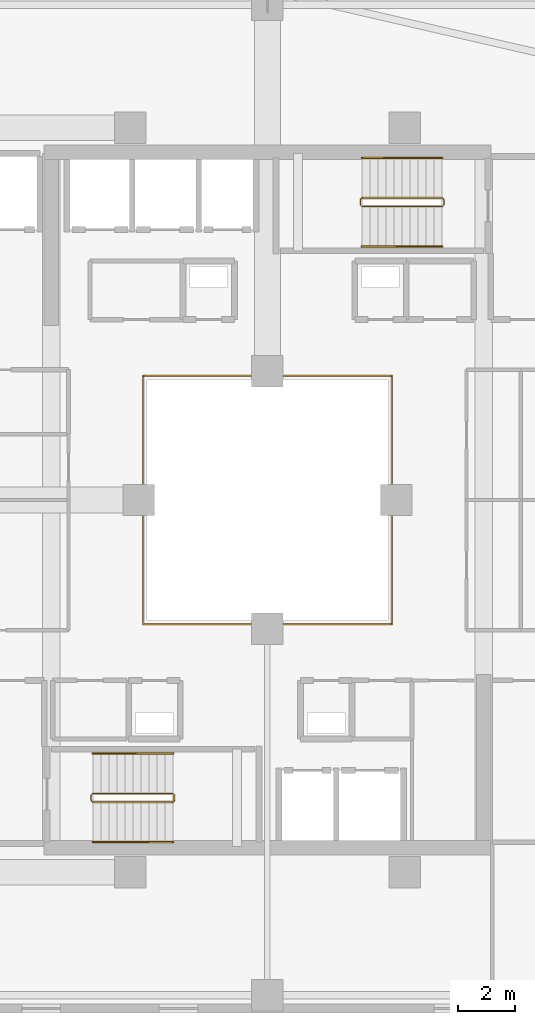
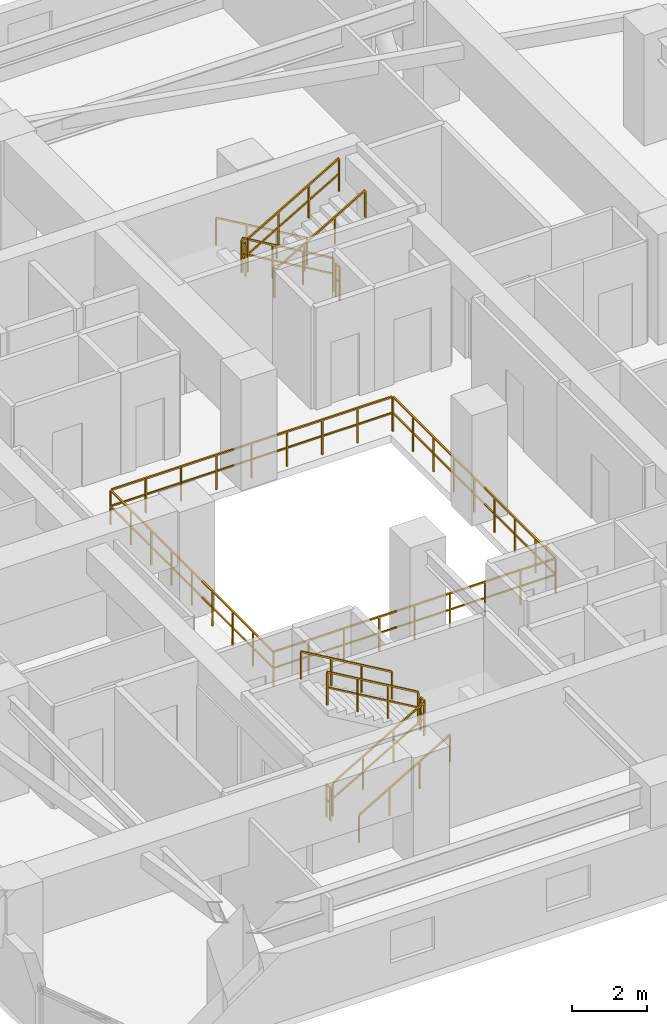
# One storey, part 33 of 36: 13 railings.
"""IFC4 building model written with IfcOpenShell, lengths in metres."""

from ifc_helpers import new_model, si_unit, direction, frame, origin, origin_2d, place, context, subcontext, project, spatial, rectangle, extrude, material, type_object, element, save


model = new_model("IFC4")

# Units and contexts
model_context = context("Model", 3, precision=1e-05, world=origin(), true_north=direction((0.0, 1.0)))
body_context = subcontext(model_context, "Body", "Model", "MODEL_VIEW")
ifc_project = project(units=[si_unit("LENGTHUNIT", "METRE"), si_unit("AREAUNIT", "SQUARE_METRE"), si_unit("VOLUMEUNIT", "CUBIC_METRE"), si_unit("PLANEANGLEUNIT", "RADIAN"), si_unit("MASSUNIT", "GRAM", prefix="KILO")], contexts=[model_context])

# Site, building, storey
site_placement = place(None, origin())
site = spatial("IfcSite", under=ifc_project, at=site_placement, CompositionType="ELEMENT")
building_placement = place(site_placement, origin())
building = spatial("IfcBuilding", under=site, at=building_placement, Name="Thornwick Lancets Civic Towers", CompositionType="ELEMENT")
storey_placement = place(building_placement, frame((0.0, 0.0, 196.5)))
storey = spatial("IfcBuildingStorey", under=building, at=storey_placement, Name="L52", CompositionType="ELEMENT", Elevation=196.5)

# Railings
ifc_material_1 = material(Name="Laminated glass and bronze steel S355", Category="steel")
railing_type_1 = type_object("IfcRailingType", Name="RAIL_ATRIUM_GUARD", PredefinedType="BALUSTRADE", material=ifc_material_1)
railing_1_placement = place(storey_placement, frame((21.159912109375, 22.659912109375, 0.0)))
element("IfcRailing", 1, at=railing_1_placement, inside=storey, type_object=railing_type_1, Name="L52 Tower A Central Atrium Guard Balustrade", PredefinedType="BALUSTRADE", context=body_context, shape_type="SweptSolid", body=[
    extrude(rectangle(XDim=0.048095703125, YDim=0.048095703125, at=origin_2d()), frame((0.0, 0.0, 1.1259765625), z_axis=(1.0, 0.0, 0.0), x_axis=(0.0, 1.0, 0.0)), (0.0, 0.0, 1.0), 8.64892578125),
    extrude(rectangle(XDim=0.0419921875, YDim=0.0419921875, at=origin_2d()), frame((0.03759765625, 0.0, 0.597900390625), z_axis=(1.0, 0.0, 0.0), x_axis=(0.0, 1.0, 0.0)), (0.0, 0.0, 1.0), 1.010009765625),
    extrude(rectangle(XDim=0.0419921875, YDim=0.0419921875, at=origin_2d()), frame((1.12255859375, 0.0, 0.597900390625), z_axis=(1.0, 0.0, 0.0), x_axis=(0.0, 1.0, 0.0)), (0.0, 0.0, 1.0), 1.010009765625),
    extrude(rectangle(XDim=0.0419921875, YDim=0.0419921875, at=origin_2d()), frame((2.20751953125, 0.0, 0.597900390625), z_axis=(1.0, 0.0, 0.0), x_axis=(0.0, 1.0, 0.0)), (0.0, 0.0, 1.0), 1.010009765625),
    extrude(rectangle(XDim=0.0419921875, YDim=0.0419921875, at=origin_2d()), frame((3.29248046875, 0.0, 0.597900390625), z_axis=(1.0, 0.0, 0.0), x_axis=(0.0, 1.0, 0.0)), (0.0, 0.0, 1.0), 1.010009765625),
    extrude(rectangle(XDim=0.0419921875, YDim=0.0419921875, at=origin_2d()), frame((4.377685546875, 0.0, 0.597900390625), z_axis=(1.0, 0.0, 0.0), x_axis=(0.0, 1.0, 0.0)), (0.0, 0.0, 1.0), 1.010009765625),
    extrude(rectangle(XDim=0.0419921875, YDim=0.0419921875, at=origin_2d()), frame((5.462646484375, 0.0, 0.597900390625), z_axis=(1.0, 0.0, 0.0), x_axis=(0.0, 1.0, 0.0)), (0.0, 0.0, 1.0), 1.010009765625),
    extrude(rectangle(XDim=0.0419921875, YDim=0.0419921875, at=origin_2d()), frame((6.547607421875, 0.0, 0.597900390625), z_axis=(1.0, 0.0, 0.0), x_axis=(0.0, 1.0, 0.0)), (0.0, 0.0, 1.0), 1.010009765625),
    extrude(rectangle(XDim=0.0419921875, YDim=0.0419921875, at=origin_2d()), frame((7.632568359375, 0.0, 0.597900390625), z_axis=(1.0, 0.0, 0.0), x_axis=(0.0, 1.0, 0.0)), (0.0, 0.0, 1.0), 1.010009765625),
    extrude(rectangle(XDim=0.048095703125, YDim=0.048095703125, at=origin_2d()), frame((8.68017578125, 0.03125, 1.1259765625), z_axis=(0.0, 1.0, 0.0), x_axis=(-1.0, 0.0, 0.0)), (0.0, 0.0, 1.0), 8.61767578125),
    extrude(rectangle(XDim=0.0419921875, YDim=0.0419921875, at=origin_2d()), frame((8.68017578125, 0.03759765625, 0.597900390625), z_axis=(0.0, 1.0, 0.0), x_axis=(-1.0, 0.0, 0.0)), (0.0, 0.0, 1.0), 1.010009765625),
    extrude(rectangle(XDim=0.0419921875, YDim=0.0419921875, at=origin_2d()), frame((8.68017578125, 1.12255859375, 0.597900390625), z_axis=(0.0, 1.0, 0.0), x_axis=(-1.0, 0.0, 0.0)), (0.0, 0.0, 1.0), 1.010009765625),
    extrude(rectangle(XDim=0.0419921875, YDim=0.0419921875, at=origin_2d()), frame((8.68017578125, 2.20751953125, 0.597900390625), z_axis=(0.0, 1.0, 0.0), x_axis=(-1.0, 0.0, 0.0)), (0.0, 0.0, 1.0), 1.010009765625),
    extrude(rectangle(XDim=0.0419921875, YDim=0.0419921875, at=origin_2d()), frame((8.68017578125, 3.29248046875, 0.597900390625), z_axis=(0.0, 1.0, 0.0), x_axis=(-1.0, 0.0, 0.0)), (0.0, 0.0, 1.0), 1.010009765625),
    extrude(rectangle(XDim=0.0419921875, YDim=0.0419921875, at=origin_2d()), frame((8.68017578125, 4.377685546875, 0.597900390625), z_axis=(0.0, 1.0, 0.0), x_axis=(-1.0, 0.0, 0.0)), (0.0, 0.0, 1.0), 1.010009765625),
    extrude(rectangle(XDim=0.0419921875, YDim=0.0419921875, at=origin_2d()), frame((8.68017578125, 5.462646484375, 0.597900390625), z_axis=(0.0, 1.0, 0.0), x_axis=(-1.0, 0.0, 0.0)), (0.0, 0.0, 1.0), 1.010009765625),
    extrude(rectangle(XDim=0.0419921875, YDim=0.0419921875, at=origin_2d()), frame((8.68017578125, 6.547607421875, 0.597900390625), z_axis=(0.0, 1.0, 0.0), x_axis=(-1.0, 0.0, 0.0)), (0.0, 0.0, 1.0), 1.010009765625),
    extrude(rectangle(XDim=0.0419921875, YDim=0.0419921875, at=origin_2d()), frame((8.68017578125, 7.632568359375, 0.597900390625), z_axis=(0.0, 1.0, 0.0), x_axis=(-1.0, 0.0, 0.0)), (0.0, 0.0, 1.0), 1.010009765625),
    extrude(rectangle(XDim=0.048095703125, YDim=0.048095703125, at=origin_2d()), frame((8.64892578125, 8.68017578125, 1.1259765625), z_axis=(-1.0, 0.0, 0.0), x_axis=(0.0, -1.0, 0.0)), (0.0, 0.0, 1.0), 8.61767578125),
    extrude(rectangle(XDim=0.0419921875, YDim=0.0419921875, at=origin_2d()), frame((8.642578125, 8.68017578125, 0.597900390625), z_axis=(-1.0, 0.0, 0.0), x_axis=(0.0, -1.0, 0.0)), (0.0, 0.0, 1.0), 1.010009765625),
    extrude(rectangle(XDim=0.0419921875, YDim=0.0419921875, at=origin_2d()), frame((7.5576171875, 8.68017578125, 0.597900390625), z_axis=(-1.0, 0.0, 0.0), x_axis=(0.0, -1.0, 0.0)), (0.0, 0.0, 1.0), 1.010009765625),
    extrude(rectangle(XDim=0.0419921875, YDim=0.0419921875, at=origin_2d()), frame((6.47265625, 8.68017578125, 0.597900390625), z_axis=(-1.0, 0.0, 0.0), x_axis=(0.0, -1.0, 0.0)), (0.0, 0.0, 1.0), 1.010009765625),
    extrude(rectangle(XDim=0.0419921875, YDim=0.0419921875, at=origin_2d()), frame((5.3876953125, 8.68017578125, 0.597900390625), z_axis=(-1.0, 0.0, 0.0), x_axis=(0.0, -1.0, 0.0)), (0.0, 0.0, 1.0), 1.010009765625),
    extrude(rectangle(XDim=0.0419921875, YDim=0.0419921875, at=origin_2d()), frame((4.302490234375, 8.68017578125, 0.597900390625), z_axis=(-1.0, 0.0, 0.0), x_axis=(0.0, -1.0, 0.0)), (0.0, 0.0, 1.0), 1.010009765625),
    extrude(rectangle(XDim=0.0419921875, YDim=0.0419921875, at=origin_2d()), frame((3.217529296875, 8.68017578125, 0.597900390625), z_axis=(-1.0, 0.0, 0.0), x_axis=(0.0, -1.0, 0.0)), (0.0, 0.0, 1.0), 1.010009765625),
    extrude(rectangle(XDim=0.0419921875, YDim=0.0419921875, at=origin_2d()), frame((2.132568359375, 8.68017578125, 0.597900390625), z_axis=(-1.0, 0.0, 0.0), x_axis=(0.0, -1.0, 0.0)), (0.0, 0.0, 1.0), 1.010009765625),
    extrude(rectangle(XDim=0.0419921875, YDim=0.0419921875, at=origin_2d()), frame((1.047607421875, 8.68017578125, 0.597900390625), z_axis=(-1.0, 0.0, 0.0), x_axis=(0.0, -1.0, 0.0)), (0.0, 0.0, 1.0), 1.010009765625),
    extrude(rectangle(XDim=0.048095703125, YDim=0.048095703125, at=origin_2d()), frame((0.0, 8.64892578125, 1.1259765625), z_axis=(0.0, -1.0, 0.0), x_axis=(1.0, 0.0, 0.0)), (0.0, 0.0, 1.0), 8.64892578125),
    extrude(rectangle(XDim=0.0419921875, YDim=0.0419921875, at=origin_2d()), frame((0.0, 8.642578125, 0.597900390625), z_axis=(0.0, -1.0, 0.0), x_axis=(1.0, 0.0, 0.0)), (0.0, 0.0, 1.0), 1.010009765625),
    extrude(rectangle(XDim=0.0419921875, YDim=0.0419921875, at=origin_2d()), frame((0.0, 7.5576171875, 0.597900390625), z_axis=(0.0, -1.0, 0.0), x_axis=(1.0, 0.0, 0.0)), (0.0, 0.0, 1.0), 1.010009765625),
    extrude(rectangle(XDim=0.0419921875, YDim=0.0419921875, at=origin_2d()), frame((0.0, 6.47265625, 0.597900390625), z_axis=(0.0, -1.0, 0.0), x_axis=(1.0, 0.0, 0.0)), (0.0, 0.0, 1.0), 1.010009765625),
    extrude(rectangle(XDim=0.0419921875, YDim=0.0419921875, at=origin_2d()), frame((0.0, 5.3876953125, 0.597900390625), z_axis=(0.0, -1.0, 0.0), x_axis=(1.0, 0.0, 0.0)), (0.0, 0.0, 1.0), 1.010009765625),
    extrude(rectangle(XDim=0.0419921875, YDim=0.0419921875, at=origin_2d()), frame((0.0, 4.302490234375, 0.597900390625), z_axis=(0.0, -1.0, 0.0), x_axis=(1.0, 0.0, 0.0)), (0.0, 0.0, 1.0), 1.010009765625),
    extrude(rectangle(XDim=0.0419921875, YDim=0.0419921875, at=origin_2d()), frame((0.0, 3.217529296875, 0.597900390625), z_axis=(0.0, -1.0, 0.0), x_axis=(1.0, 0.0, 0.0)), (0.0, 0.0, 1.0), 1.010009765625),
    extrude(rectangle(XDim=0.0419921875, YDim=0.0419921875, at=origin_2d()), frame((0.0, 2.132568359375, 0.597900390625), z_axis=(0.0, -1.0, 0.0), x_axis=(1.0, 0.0, 0.0)), (0.0, 0.0, 1.0), 1.010009765625),
    extrude(rectangle(XDim=0.0419921875, YDim=0.0419921875, at=origin_2d()), frame((0.0, 1.047607421875, 0.597900390625), z_axis=(0.0, -1.0, 0.0), x_axis=(1.0, 0.0, 0.0)), (0.0, 0.0, 1.0), 1.010009765625),
    extrude(rectangle(XDim=0.0419921875, YDim=0.0419921875, at=origin_2d()), origin(), (0.0, 0.0, 1.0), 1.095703125),
    extrude(rectangle(XDim=0.0419921875, YDim=0.0419921875, at=origin_2d()), frame((1.0849609375, 0.0, 0.0)), (0.0, 0.0, 1.0), 1.095703125),
    extrude(rectangle(XDim=0.0419921875, YDim=0.0419921875, at=origin_2d()), frame((2.169921875, 0.0, 0.0)), (0.0, 0.0, 1.0), 1.095703125),
    extrude(rectangle(XDim=0.0419921875, YDim=0.0419921875, at=origin_2d()), frame((3.255126953125, 0.0, 0.0)), (0.0, 0.0, 1.0), 1.095703125),
    extrude(rectangle(XDim=0.0419921875, YDim=0.0419921875, at=origin_2d()), frame((4.340087890625, 0.0, 0.0)), (0.0, 0.0, 1.0), 1.095703125),
    extrude(rectangle(XDim=0.0419921875, YDim=0.0419921875, at=origin_2d()), frame((5.425048828125, 0.0, 0.0)), (0.0, 0.0, 1.0), 1.095703125),
    extrude(rectangle(XDim=0.0419921875, YDim=0.0419921875, at=origin_2d()), frame((6.51025390625, 0.0, 0.0)), (0.0, 0.0, 1.0), 1.095703125),
    extrude(rectangle(XDim=0.0419921875, YDim=0.0419921875, at=origin_2d()), frame((7.59521484375, 0.0, 0.0)), (0.0, 0.0, 1.0), 1.095703125),
    extrude(rectangle(XDim=0.0419921875, YDim=0.0419921875, at=origin_2d()), frame((8.68017578125, 0.0, 0.0)), (0.0, 0.0, 1.0), 1.095703125),
    extrude(rectangle(XDim=0.0419921875, YDim=0.0419921875, at=origin_2d()), frame((8.68017578125, 1.0849609375, 0.0)), (0.0, 0.0, 1.0), 1.095703125),
    extrude(rectangle(XDim=0.0419921875, YDim=0.0419921875, at=origin_2d()), frame((8.68017578125, 2.169921875, 0.0)), (0.0, 0.0, 1.0), 1.095703125),
    extrude(rectangle(XDim=0.0419921875, YDim=0.0419921875, at=origin_2d()), frame((8.68017578125, 3.255126953125, 0.0)), (0.0, 0.0, 1.0), 1.095703125),
    extrude(rectangle(XDim=0.0419921875, YDim=0.0419921875, at=origin_2d()), frame((8.68017578125, 4.340087890625, 0.0)), (0.0, 0.0, 1.0), 1.095703125),
    extrude(rectangle(XDim=0.0419921875, YDim=0.0419921875, at=origin_2d()), frame((8.68017578125, 5.425048828125, 0.0)), (0.0, 0.0, 1.0), 1.095703125),
    extrude(rectangle(XDim=0.0419921875, YDim=0.0419921875, at=origin_2d()), frame((8.68017578125, 6.51025390625, 0.0)), (0.0, 0.0, 1.0), 1.095703125),
    extrude(rectangle(XDim=0.0419921875, YDim=0.0419921875, at=origin_2d()), frame((8.68017578125, 7.59521484375, 0.0)), (0.0, 0.0, 1.0), 1.095703125),
    extrude(rectangle(XDim=0.0419921875, YDim=0.0419921875, at=origin_2d()), frame((8.68017578125, 8.68017578125, 0.0)), (0.0, 0.0, 1.0), 1.095703125),
    extrude(rectangle(XDim=0.0419921875, YDim=0.0419921875, at=origin_2d()), frame((7.59521484375, 8.68017578125, 0.0)), (0.0, 0.0, 1.0), 1.095703125),
    extrude(rectangle(XDim=0.0419921875, YDim=0.0419921875, at=origin_2d()), frame((6.51025390625, 8.68017578125, 0.0)), (0.0, 0.0, 1.0), 1.095703125),
    extrude(rectangle(XDim=0.0419921875, YDim=0.0419921875, at=origin_2d()), frame((5.425048828125, 8.68017578125, 0.0)), (0.0, 0.0, 1.0), 1.095703125),
    extrude(rectangle(XDim=0.0419921875, YDim=0.0419921875, at=origin_2d()), frame((4.340087890625, 8.68017578125, 0.0)), (0.0, 0.0, 1.0), 1.095703125),
    extrude(rectangle(XDim=0.0419921875, YDim=0.0419921875, at=origin_2d()), frame((3.255126953125, 8.68017578125, 0.0)), (0.0, 0.0, 1.0), 1.095703125),
    extrude(rectangle(XDim=0.0419921875, YDim=0.0419921875, at=origin_2d()), frame((2.169921875, 8.68017578125, 0.0)), (0.0, 0.0, 1.0), 1.095703125),
    extrude(rectangle(XDim=0.0419921875, YDim=0.0419921875, at=origin_2d()), frame((1.0849609375, 8.68017578125, 0.0)), (0.0, 0.0, 1.0), 1.095703125),
    extrude(rectangle(XDim=0.0419921875, YDim=0.0419921875, at=origin_2d()), frame((0.0, 8.68017578125, 0.0)), (0.0, 0.0, 1.0), 1.095703125),
    extrude(rectangle(XDim=0.0419921875, YDim=0.0419921875, at=origin_2d()), frame((0.0, 7.59521484375, 0.0)), (0.0, 0.0, 1.0), 1.095703125),
    extrude(rectangle(XDim=0.0419921875, YDim=0.0419921875, at=origin_2d()), frame((0.0, 6.51025390625, 0.0)), (0.0, 0.0, 1.0), 1.095703125),
    extrude(rectangle(XDim=0.0419921875, YDim=0.0419921875, at=origin_2d()), frame((0.0, 5.425048828125, 0.0)), (0.0, 0.0, 1.0), 1.095703125),
    extrude(rectangle(XDim=0.0419921875, YDim=0.0419921875, at=origin_2d()), frame((0.0, 4.340087890625, 0.0)), (0.0, 0.0, 1.0), 1.095703125),
    extrude(rectangle(XDim=0.0419921875, YDim=0.0419921875, at=origin_2d()), frame((0.0, 3.255126953125, 0.0)), (0.0, 0.0, 1.0), 1.095703125),
    extrude(rectangle(XDim=0.0419921875, YDim=0.0419921875, at=origin_2d()), frame((0.0, 2.169921875, 0.0)), (0.0, 0.0, 1.0), 1.095703125),
    extrude(rectangle(XDim=0.0419921875, YDim=0.0419921875, at=origin_2d()), frame((0.0, 1.0849609375, 0.0)), (0.0, 0.0, 1.0), 1.095703125),
])
ifc_material_2 = material(Name="Brushed stainless steel S355", Category="steel")
railing_type_2 = type_object("IfcRailingType", Name="RAIL_HANDRAIL", PredefinedType="HANDRAIL", material=ifc_material_2)
railing_2_placement = place(storey_placement, frame((19.39990234375, 15.050048828125, 0.16357421875)))
element("IfcRailing", 2, at=railing_2_placement, inside=storey, type_object=railing_type_2, Name="L52 ST-A1 stair handrail 1", PredefinedType="HANDRAIL", context=body_context, shape_type="SweptSolid", body=[
    extrude(rectangle(XDim=0.048095703125, YDim=0.048095703125, at=origin_2d()), frame((0.0, 0.0, 0.8857421875), z_axis=(0.863360870873, 0.0, 0.504586966384), x_axis=(0.0, 1.0, 0.0)), (0.0, 0.0, 1.0), 3.2431640625),
    extrude(rectangle(XDim=0.0419921875, YDim=0.0419921875, at=origin_2d()), origin(), (0.0, 0.0, 1.0), 0.855712890625),
    extrude(rectangle(XDim=0.0419921875, YDim=0.0419921875, at=origin_2d()), frame((0.933349609375, 0.0, 0.54541015625)), (0.0, 0.0, 1.0), 0.855712890625),
    extrude(rectangle(XDim=0.0419921875, YDim=0.0419921875, at=origin_2d()), frame((1.86669921875, 0.0, 1.091064453125)), (0.0, 0.0, 1.0), 0.855712890625),
    extrude(rectangle(XDim=0.0419921875, YDim=0.0419921875, at=origin_2d()), frame((2.800048828125, 0.0, 1.636474609375)), (0.0, 0.0, 1.0), 0.855712890625),
])
for number, where, name in (
    (3, (22.199951171875, 18.14990234375, 1.963623046875), "L52 ST-A1 stair handrail 2"),
    (4, (31.60009765625, 38.949951171875, 0.16357421875), "L52 ST-A2 stair handrail 1"),
):
    element("IfcRailing", number, at=place(storey_placement, frame(where)), inside=storey, type_object=railing_type_2, Name=name, PredefinedType="HANDRAIL", context=body_context, shape_type="SweptSolid", body=[
        extrude(rectangle(XDim=0.048095703125, YDim=0.048095703125, at=origin_2d()), frame((0.0, 0.0, 0.8857421875), z_axis=(-0.863360870873, 0.0, 0.504586966384), x_axis=(0.0, -1.0, 0.0)), (0.0, 0.0, 1.0), 3.2431640625),
        extrude(rectangle(XDim=0.0419921875, YDim=0.0419921875, at=origin_2d()), origin(), (0.0, 0.0, 1.0), 0.855712890625),
        extrude(rectangle(XDim=0.0419921875, YDim=0.0419921875, at=origin_2d()), frame((-0.933349609375, 0.0, 0.54541015625)), (0.0, 0.0, 1.0), 0.855712890625),
        extrude(rectangle(XDim=0.0419921875, YDim=0.0419921875, at=origin_2d()), frame((-1.86669921875, 0.0, 1.091064453125)), (0.0, 0.0, 1.0), 0.855712890625),
        extrude(rectangle(XDim=0.0419921875, YDim=0.0419921875, at=origin_2d()), frame((-2.800048828125, 0.0, 1.636474609375)), (0.0, 0.0, 1.0), 0.855712890625),
    ])
railing_3_placement = place(storey_placement, frame((28.800048828125, 35.85009765625, 1.963623046875)))
element("IfcRailing", 5, at=railing_3_placement, inside=storey, type_object=railing_type_2, Name="L52 ST-A2 stair handrail 2", PredefinedType="HANDRAIL", context=body_context, shape_type="SweptSolid", body=[
    extrude(rectangle(XDim=0.048095703125, YDim=0.048095703125, at=origin_2d()), frame((0.0, 0.0, 0.8857421875), z_axis=(0.863360870873, 0.0, 0.504586966384), x_axis=(0.0, 1.0, 0.0)), (0.0, 0.0, 1.0), 3.2431640625),
    extrude(rectangle(XDim=0.0419921875, YDim=0.0419921875, at=origin_2d()), origin(), (0.0, 0.0, 1.0), 0.855712890625),
    extrude(rectangle(XDim=0.0419921875, YDim=0.0419921875, at=origin_2d()), frame((0.933349609375, 0.0, 0.54541015625)), (0.0, 0.0, 1.0), 0.855712890625),
    extrude(rectangle(XDim=0.0419921875, YDim=0.0419921875, at=origin_2d()), frame((1.86669921875, 0.0, 1.091064453125)), (0.0, 0.0, 1.0), 0.855712890625),
    extrude(rectangle(XDim=0.0419921875, YDim=0.0419921875, at=origin_2d()), frame((2.800048828125, 0.0, 1.636474609375)), (0.0, 0.0, 1.0), 0.855712890625),
])
ifc_material_3 = material(Name="Steel S355JR", Category="steel")
railing_type_3 = type_object("IfcRailingType", Name="RAIL_STAIR_GUARD", PredefinedType="GUARDRAIL", material=ifc_material_3)
railing_4_placement = place(storey_placement, frame((19.39990234375, 16.449951171875, 0.16357421875)))
element("IfcRailing", 6, at=railing_4_placement, inside=storey, type_object=railing_type_3, Name="L52 ST-A1 stair guard 1", PredefinedType="GUARDRAIL", context=body_context, shape_type="SweptSolid", body=[
    extrude(rectangle(XDim=0.048095703125, YDim=0.048095703125, at=origin_2d()), frame((0.0, 0.0, 1.076171875), z_axis=(0.863360870873, 0.0, 0.504586966384), x_axis=(0.0, 1.0, 0.0)), (0.0, 0.0, 1.0), 3.2431640625),
    extrude(rectangle(XDim=0.0419921875, YDim=0.0419921875, at=origin_2d()), frame((0.032470703125, 0.0, 0.591064453125), z_axis=(0.863360870873, 0.0, 0.504586966384), x_axis=(0.0, 1.0, 0.0)), (0.0, 0.0, 1.0), 1.006103515625),
    extrude(rectangle(XDim=0.0419921875, YDim=0.0419921875, at=origin_2d()), frame((0.9658203125, 0.0, 1.136474609375), z_axis=(0.863360870873, 0.0, 0.504586966384), x_axis=(0.0, 1.0, 0.0)), (0.0, 0.0, 1.0), 1.006103515625),
    extrude(rectangle(XDim=0.0419921875, YDim=0.0419921875, at=origin_2d()), frame((1.899169921875, 0.0, 1.681884765625), z_axis=(0.863360870873, 0.0, 0.504586966384), x_axis=(0.0, 1.0, 0.0)), (0.0, 0.0, 1.0), 1.006103515625),
    extrude(rectangle(XDim=0.0419921875, YDim=0.0419921875, at=origin_2d()), origin(), (0.0, 0.0, 1.0), 1.0458984375),
    extrude(rectangle(XDim=0.0419921875, YDim=0.0419921875, at=origin_2d()), frame((0.933349609375, 0.0, 0.54541015625)), (0.0, 0.0, 1.0), 1.0458984375),
    extrude(rectangle(XDim=0.0419921875, YDim=0.0419921875, at=origin_2d()), frame((1.86669921875, 0.0, 1.091064453125)), (0.0, 0.0, 1.0), 1.0458984375),
    extrude(rectangle(XDim=0.0419921875, YDim=0.0419921875, at=origin_2d()), frame((2.800048828125, 0.0, 1.636474609375)), (0.0, 0.0, 1.0), 1.0458984375),
])
railing_5_placement = place(storey_placement, frame((22.25, 16.5, 1.800048828125)))
element("IfcRailing", 7, at=railing_5_placement, inside=storey, type_object=railing_type_3, Name="L52 ST-A1 stair guard 2", PredefinedType="GUARDRAIL", context=body_context, shape_type="SweptSolid", body=[
    extrude(rectangle(XDim=0.048095703125, YDim=0.048095703125, at=origin_2d()), frame((0.0, 0.0, 1.076171875), z_axis=(0.0, 1.0, 0.0), x_axis=(-1.0, 0.0, 0.0)), (0.0, 0.0, 1.0), 0.199951171875),
    extrude(rectangle(XDim=0.0419921875, YDim=0.0419921875, at=origin_2d()), frame((0.0, 0.03759765625, 0.572021484375), z_axis=(0.0, 1.0, 0.0), x_axis=(-1.0, 0.0, 0.0)), (0.0, 0.0, 1.0), 0.125),
    extrude(rectangle(XDim=0.0419921875, YDim=0.0419921875, at=origin_2d()), origin(), (0.0, 0.0, 1.0), 1.0458984375),
    extrude(rectangle(XDim=0.0419921875, YDim=0.0419921875, at=origin_2d()), frame((0.0, 0.199951171875, 0.0)), (0.0, 0.0, 1.0), 1.0458984375),
])
railing_6_placement = place(storey_placement, frame((22.199951171875, 16.75, 1.963623046875)))
element("IfcRailing", 8, at=railing_6_placement, inside=storey, type_object=railing_type_3, Name="L52 ST-A1 stair guard 3", PredefinedType="GUARDRAIL", context=body_context, shape_type="SweptSolid", body=[
    extrude(rectangle(XDim=0.048095703125, YDim=0.048095703125, at=origin_2d()), frame((0.0, 0.0, 1.076171875), z_axis=(-0.863360870873, 0.0, 0.504586966384), x_axis=(0.0, -1.0, 0.0)), (0.0, 0.0, 1.0), 3.2431640625),
    extrude(rectangle(XDim=0.0419921875, YDim=0.0419921875, at=origin_2d()), frame((-0.032470703125, 0.0, 0.591064453125), z_axis=(-0.863360870873, 0.0, 0.504586966384), x_axis=(0.0, -1.0, 0.0)), (0.0, 0.0, 1.0), 1.006103515625),
    extrude(rectangle(XDim=0.0419921875, YDim=0.0419921875, at=origin_2d()), frame((-0.9658203125, 0.0, 1.136474609375), z_axis=(-0.863360870873, 0.0, 0.504586966384), x_axis=(0.0, -1.0, 0.0)), (0.0, 0.0, 1.0), 1.006103515625),
    extrude(rectangle(XDim=0.0419921875, YDim=0.0419921875, at=origin_2d()), frame((-1.899169921875, 0.0, 1.681884765625), z_axis=(-0.863360870873, 0.0, 0.504586966384), x_axis=(0.0, -1.0, 0.0)), (0.0, 0.0, 1.0), 1.006103515625),
    extrude(rectangle(XDim=0.0419921875, YDim=0.0419921875, at=origin_2d()), origin(), (0.0, 0.0, 1.0), 1.0458984375),
    extrude(rectangle(XDim=0.0419921875, YDim=0.0419921875, at=origin_2d()), frame((-0.933349609375, 0.0, 0.54541015625)), (0.0, 0.0, 1.0), 1.0458984375),
    extrude(rectangle(XDim=0.0419921875, YDim=0.0419921875, at=origin_2d()), frame((-1.86669921875, 0.0, 1.091064453125)), (0.0, 0.0, 1.0), 1.0458984375),
    extrude(rectangle(XDim=0.0419921875, YDim=0.0419921875, at=origin_2d()), frame((-2.800048828125, 0.0, 1.636474609375)), (0.0, 0.0, 1.0), 1.0458984375),
])
railing_7_placement = place(storey_placement, frame((19.35009765625, 16.5, 0.0)))
element("IfcRailing", 9, at=railing_7_placement, inside=storey, type_object=railing_type_3, Name="L52 ST-A1 stair guard 4", PredefinedType="GUARDRAIL", context=body_context, shape_type="SweptSolid", body=[
    extrude(rectangle(XDim=0.048095703125, YDim=0.048095703125, at=origin_2d()), frame((0.0, 0.0, 1.076171875), z_axis=(0.0, 1.0, 0.0), x_axis=(-1.0, 0.0, 0.0)), (0.0, 0.0, 1.0), 0.199951171875),
    extrude(rectangle(XDim=0.0419921875, YDim=0.0419921875, at=origin_2d()), frame((0.0, 0.03759765625, 0.572021484375), z_axis=(0.0, 1.0, 0.0), x_axis=(-1.0, 0.0, 0.0)), (0.0, 0.0, 1.0), 0.125),
    extrude(rectangle(XDim=0.0419921875, YDim=0.0419921875, at=origin_2d()), origin(), (0.0, 0.0, 1.0), 1.0458984375),
    extrude(rectangle(XDim=0.0419921875, YDim=0.0419921875, at=origin_2d()), frame((0.0, 0.199951171875, 0.0)), (0.0, 0.0, 1.0), 1.0458984375),
])
railing_8_placement = place(storey_placement, frame((31.60009765625, 37.550048828125, 0.16357421875)))
element("IfcRailing", 10, at=railing_8_placement, inside=storey, type_object=railing_type_3, Name="L52 ST-A2 stair guard 1", PredefinedType="GUARDRAIL", context=body_context, shape_type="SweptSolid", body=[
    extrude(rectangle(XDim=0.048095703125, YDim=0.048095703125, at=origin_2d()), frame((0.0, 0.0, 1.076171875), z_axis=(-0.863360870873, 0.0, 0.504586966384), x_axis=(0.0, -1.0, 0.0)), (0.0, 0.0, 1.0), 3.2431640625),
    extrude(rectangle(XDim=0.0419921875, YDim=0.0419921875, at=origin_2d()), frame((-0.032470703125, 0.0, 0.591064453125), z_axis=(-0.863360870873, 0.0, 0.504586966384), x_axis=(0.0, -1.0, 0.0)), (0.0, 0.0, 1.0), 1.006103515625),
    extrude(rectangle(XDim=0.0419921875, YDim=0.0419921875, at=origin_2d()), frame((-0.9658203125, 0.0, 1.136474609375), z_axis=(-0.863360870873, 0.0, 0.504586966384), x_axis=(0.0, -1.0, 0.0)), (0.0, 0.0, 1.0), 1.006103515625),
    extrude(rectangle(XDim=0.0419921875, YDim=0.0419921875, at=origin_2d()), frame((-1.899169921875, 0.0, 1.681884765625), z_axis=(-0.863360870873, 0.0, 0.504586966384), x_axis=(0.0, -1.0, 0.0)), (0.0, 0.0, 1.0), 1.006103515625),
    extrude(rectangle(XDim=0.0419921875, YDim=0.0419921875, at=origin_2d()), origin(), (0.0, 0.0, 1.0), 1.0458984375),
    extrude(rectangle(XDim=0.0419921875, YDim=0.0419921875, at=origin_2d()), frame((-0.933349609375, 0.0, 0.54541015625)), (0.0, 0.0, 1.0), 1.0458984375),
    extrude(rectangle(XDim=0.0419921875, YDim=0.0419921875, at=origin_2d()), frame((-1.86669921875, 0.0, 1.091064453125)), (0.0, 0.0, 1.0), 1.0458984375),
    extrude(rectangle(XDim=0.0419921875, YDim=0.0419921875, at=origin_2d()), frame((-2.800048828125, 0.0, 1.636474609375)), (0.0, 0.0, 1.0), 1.0458984375),
])
railing_9_placement = place(storey_placement, frame((28.75, 37.5, 1.800048828125)))
element("IfcRailing", 11, at=railing_9_placement, inside=storey, type_object=railing_type_3, Name="L52 ST-A2 stair guard 2", PredefinedType="GUARDRAIL", context=body_context, shape_type="SweptSolid", body=[
    extrude(rectangle(XDim=0.048095703125, YDim=0.048095703125, at=origin_2d()), frame((0.0, 0.0, 1.076171875), z_axis=(0.0, -1.0, 0.0), x_axis=(1.0, 0.0, 0.0)), (0.0, 0.0, 1.0), 0.199951171875),
    extrude(rectangle(XDim=0.0419921875, YDim=0.0419921875, at=origin_2d()), frame((0.0, -0.03759765625, 0.572021484375), z_axis=(0.0, -1.0, 0.0), x_axis=(1.0, 0.0, 0.0)), (0.0, 0.0, 1.0), 0.125),
    extrude(rectangle(XDim=0.0419921875, YDim=0.0419921875, at=origin_2d()), origin(), (0.0, 0.0, 1.0), 1.0458984375),
    extrude(rectangle(XDim=0.0419921875, YDim=0.0419921875, at=origin_2d()), frame((0.0, -0.199951171875, 0.0)), (0.0, 0.0, 1.0), 1.0458984375),
])
railing_10_placement = place(storey_placement, frame((28.800048828125, 37.25, 1.963623046875)))
element("IfcRailing", 12, at=railing_10_placement, inside=storey, type_object=railing_type_3, Name="L52 ST-A2 stair guard 3", PredefinedType="GUARDRAIL", context=body_context, shape_type="SweptSolid", body=[
    extrude(rectangle(XDim=0.048095703125, YDim=0.048095703125, at=origin_2d()), frame((0.0, 0.0, 1.076171875), z_axis=(0.863360870873, 0.0, 0.504586966384), x_axis=(0.0, 1.0, 0.0)), (0.0, 0.0, 1.0), 3.2431640625),
    extrude(rectangle(XDim=0.0419921875, YDim=0.0419921875, at=origin_2d()), frame((0.032470703125, 0.0, 0.591064453125), z_axis=(0.863360870873, 0.0, 0.504586966384), x_axis=(0.0, 1.0, 0.0)), (0.0, 0.0, 1.0), 1.006103515625),
    extrude(rectangle(XDim=0.0419921875, YDim=0.0419921875, at=origin_2d()), frame((0.9658203125, 0.0, 1.136474609375), z_axis=(0.863360870873, 0.0, 0.504586966384), x_axis=(0.0, 1.0, 0.0)), (0.0, 0.0, 1.0), 1.006103515625),
    extrude(rectangle(XDim=0.0419921875, YDim=0.0419921875, at=origin_2d()), frame((1.899169921875, 0.0, 1.681884765625), z_axis=(0.863360870873, 0.0, 0.504586966384), x_axis=(0.0, 1.0, 0.0)), (0.0, 0.0, 1.0), 1.006103515625),
    extrude(rectangle(XDim=0.0419921875, YDim=0.0419921875, at=origin_2d()), origin(), (0.0, 0.0, 1.0), 1.0458984375),
    extrude(rectangle(XDim=0.0419921875, YDim=0.0419921875, at=origin_2d()), frame((0.933349609375, 0.0, 0.54541015625)), (0.0, 0.0, 1.0), 1.0458984375),
    extrude(rectangle(XDim=0.0419921875, YDim=0.0419921875, at=origin_2d()), frame((1.86669921875, 0.0, 1.091064453125)), (0.0, 0.0, 1.0), 1.0458984375),
    extrude(rectangle(XDim=0.0419921875, YDim=0.0419921875, at=origin_2d()), frame((2.800048828125, 0.0, 1.636474609375)), (0.0, 0.0, 1.0), 1.0458984375),
])
railing_11_placement = place(storey_placement, frame((31.64990234375, 37.5, 0.0)))
element("IfcRailing", 13, at=railing_11_placement, inside=storey, type_object=railing_type_3, Name="L52 ST-A2 stair guard 4", PredefinedType="GUARDRAIL", context=body_context, shape_type="SweptSolid", body=[
    extrude(rectangle(XDim=0.048095703125, YDim=0.048095703125, at=origin_2d()), frame((0.0, 0.0, 1.076171875), z_axis=(0.0, -1.0, 0.0), x_axis=(1.0, 0.0, 0.0)), (0.0, 0.0, 1.0), 0.199951171875),
    extrude(rectangle(XDim=0.0419921875, YDim=0.0419921875, at=origin_2d()), frame((0.0, -0.03759765625, 0.572021484375), z_axis=(0.0, -1.0, 0.0), x_axis=(1.0, 0.0, 0.0)), (0.0, 0.0, 1.0), 0.125),
    extrude(rectangle(XDim=0.0419921875, YDim=0.0419921875, at=origin_2d()), origin(), (0.0, 0.0, 1.0), 1.0458984375),
    extrude(rectangle(XDim=0.0419921875, YDim=0.0419921875, at=origin_2d()), frame((0.0, -0.199951171875, 0.0)), (0.0, 0.0, 1.0), 1.0458984375),
])

save(model, "model.ifc")
